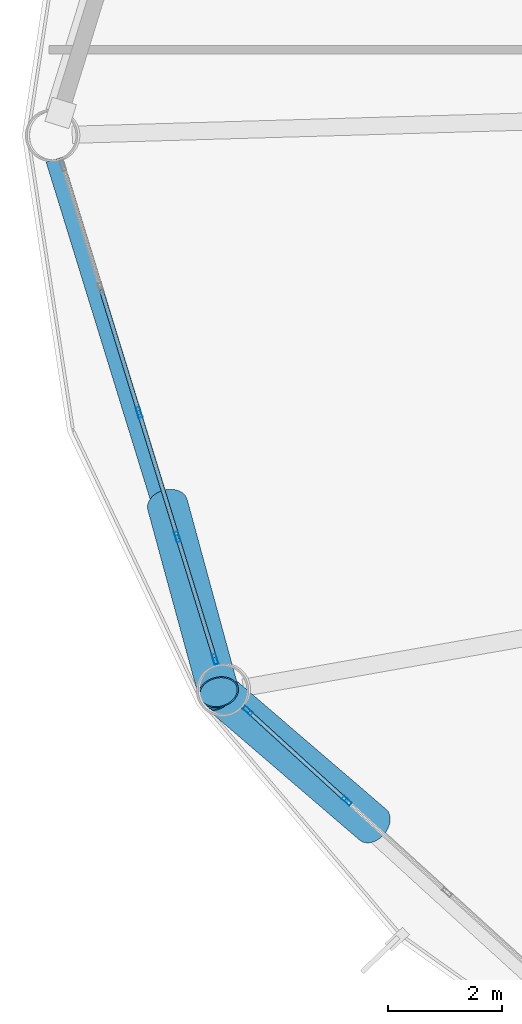
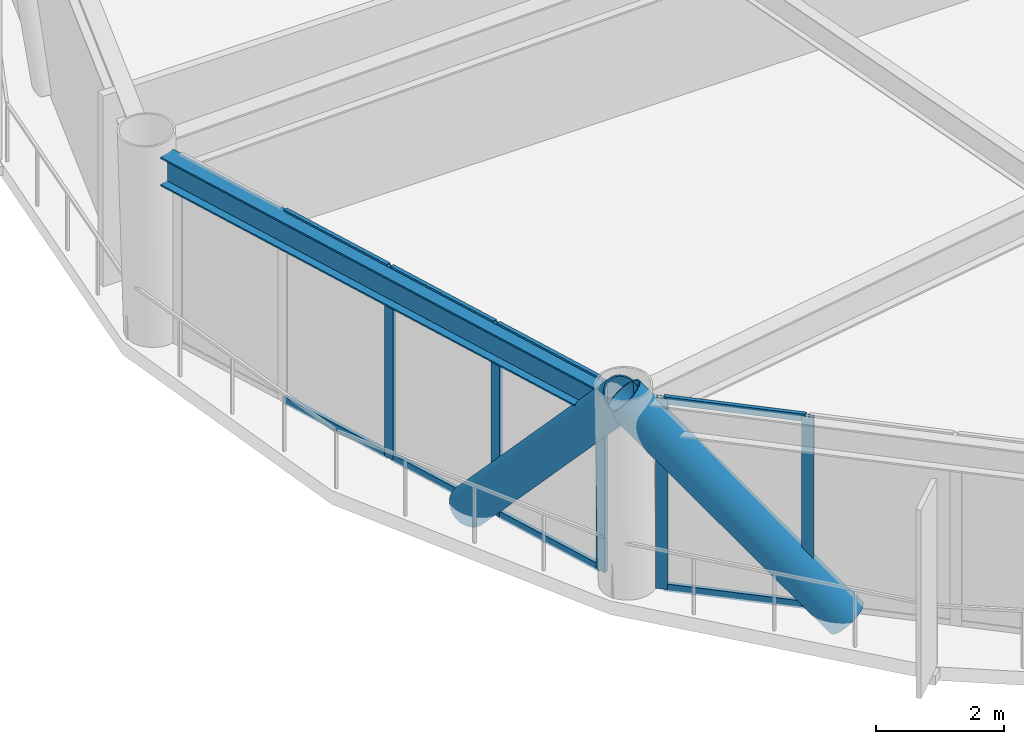
# One storey, part 4 of 25: 15 members, 1 beam, 2 elements without a shape of their own.
"""IFC4 building model written with IfcOpenShell, lengths in metres."""

from ifc_helpers import new_model, si_unit, direction, frame, origin, origin_2d, place, context, subcontext, project, spatial, hollow_rectangle, hollow_circle, i_section, extrude, material, layer, layer_set, material_profile, profile_set, type_object, element, aggregate, save


model = new_model("IFC4")

# Units and contexts
model_context = context("Model", 3, precision=1e-05, world=origin(), true_north=direction((0.0, 1.0)))
body_context = subcontext(model_context, "Body", "Model", "MODEL_VIEW")
ifc_project = project(units=[si_unit("LENGTHUNIT", "METRE"), si_unit("AREAUNIT", "SQUARE_METRE"), si_unit("VOLUMEUNIT", "CUBIC_METRE"), si_unit("PLANEANGLEUNIT", "RADIAN"), si_unit("MASSUNIT", "GRAM", prefix="KILO")], contexts=[model_context])

# Site, building, storey
site_placement = place(None, origin())
site = spatial("IfcSite", under=ifc_project, at=site_placement, CompositionType="ELEMENT")
building_placement = place(site_placement, origin())
building = spatial("IfcBuilding", under=site, at=building_placement, Name="Varnakorn Sky Granary", CompositionType="ELEMENT")
storey_placement = place(building_placement, frame((0.0, 0.0, 58.800048828125)))
storey = spatial("IfcBuildingStorey", under=building, at=storey_placement, Name="L14", CompositionType="ELEMENT", Elevation=58.800048828125)

# Beam
ifc_material_1 = material(Name="Steel S355JR", Category="steel")
ifc_material_profile_1 = material_profile(ifc_material_1, i_section(OverallWidth=0.300048828125, OverallDepth=0.550048828125, WebThickness=0.014892578125, FlangeThickness=0.029052734375, at=origin_2d()), Name="HE 550 B")
ifc_profile_set_1 = profile_set([ifc_material_profile_1], Name="Steel S355JR")
beam_type = type_object("IfcBeamType", Name="BM-SPD-Z1", PredefinedType="SPANDREL", material=ifc_profile_set_1)
beam_placement = place(storey_placement, frame((-22.875732421875, -0.42236328125, 3.364990234375), z_axis=(0.2946507866, -0.955604998917, 0.0), x_axis=(0.955604998917, 0.2946507866, 0.0)))
element("IfcBeam", 1, at=beam_placement, inside=storey, type_object=beam_type, Name="Perimeter Spandrel Ring Beam RB07 L14", PredefinedType="SPANDREL", context=body_context, shape_type="SweptSolid", body=[
    extrude(i_section(OverallWidth=0.300048828125, OverallDepth=0.550048828125, WebThickness=0.014892578125, FlangeThickness=0.029052734375, at=origin_2d()), origin(), (0.0, 0.0, 1.0), 9.291748046875),
])

# Curtain wall, members
ifc_material_2 = material(Name="Anodised Bronze Aluminium Alloy 6063-T6", Category="aluminium")
ifc_layer = layer(ifc_material_2, 0.18994140625, Name="Anodised Bronze Aluminium Alloy 6063-T6")
ifc_layer_set = layer_set([ifc_layer], Name="Anodised Bronze Aluminium Alloy 6063-T6")
curtain_wall_type = type_object("IfcCurtainWallType", Name="CW-FRM-1", PredefinedType="USERDEFINED", material=ifc_layer_set)
curtain_wall_1_placement = place(storey_placement, origin())
curtain_wall_1 = element("IfcCurtainWall", 2, at=curtain_wall_1_placement, inside=storey, type_object=curtain_wall_type, Name="Unitised Curtain Wall CW3 CW-L14-B07", ObjectType="CURTAIN WALL", PredefinedType="USERDEFINED")
ifc_material_profile_2 = material_profile(ifc_material_2, hollow_rectangle(XDim=0.070068359375, YDim=0.18505859375, WallThickness=0.00390625, at=origin_2d()), Name="ALU MULL 70x185")
ifc_profile_set_2 = profile_set([ifc_material_profile_2], Name="Anodised Bronze Aluminium Alloy 6063-T6")
member_type_1 = type_object("IfcMemberType", Name="CW-FRM-1-MULL", PredefinedType="MULLION", material=ifc_profile_set_2)
member_1_placement = place(storey_placement, frame((-20.068115234375, -9.14990234375, 0.0), z_axis=(0.0, 0.0, 1.0), x_axis=(-0.955650032155, -0.29450469613, 0.0)))
member_1 = element("IfcMember", 3, at=member_1_placement, type_object=member_type_1, Name="CW3 mullion 1", PredefinedType="MULLION", context=body_context, shape_type="SweptSolid", body=[
    extrude(hollow_rectangle(XDim=0.070068359375, YDim=0.18505859375, WallThickness=0.00390625, at=origin_2d()), origin(), (0.0, 0.0, 1.0), 3.639892578125),
])
member_2_placement = place(storey_placement, frame((-20.727294921875, -7.010986328125, 0.0), z_axis=(0.0, 0.0, 1.0), x_axis=(-0.955650032155, -0.29450469613, 0.0)))
member_2 = element("IfcMember", 4, at=member_2_placement, type_object=member_type_1, Name="CW3 mullion 2", PredefinedType="MULLION", context=body_context, shape_type="SweptSolid", body=[
    extrude(hollow_rectangle(XDim=0.070068359375, YDim=0.18505859375, WallThickness=0.00390625, at=origin_2d()), origin(), (0.0, 0.0, 1.0), 3.639892578125),
])
member_3_placement = place(storey_placement, frame((-21.396728515625, -4.8388671875, 0.0), z_axis=(0.0, 0.0, 1.0), x_axis=(-0.955650032155, -0.29450469613, 0.0)))
member_3 = element("IfcMember", 5, at=member_3_placement, type_object=member_type_1, Name="CW3 mullion 3", PredefinedType="MULLION", context=body_context, shape_type="SweptSolid", body=[
    extrude(hollow_rectangle(XDim=0.070068359375, YDim=0.18505859375, WallThickness=0.00390625, at=origin_2d()), origin(), (0.0, 0.0, 1.0), 3.639892578125),
])

curtain_wall_2_placement = place(storey_placement, origin())
curtain_wall_2 = element("IfcCurtainWall", 6, at=curtain_wall_2_placement, inside=storey, type_object=curtain_wall_type, Name="Unitised Curtain Wall CW3 CW-L14-B08", ObjectType="CURTAIN WALL", PredefinedType="USERDEFINED")
member_4_placement = place(storey_placement, frame((-17.769775390625, -11.62255859375, 0.0), z_axis=(0.0, 0.0, 1.0), x_axis=(-0.67331886602, -0.739352219623, 0.0)))
member_4 = element("IfcMember", 7, at=member_4_placement, type_object=member_type_1, Name="CW3 mullion 4", PredefinedType="MULLION", context=body_context, shape_type="SweptSolid", body=[
    extrude(hollow_rectangle(XDim=0.070068359375, YDim=0.18505859375, WallThickness=0.00390625, at=origin_2d()), origin(), (0.0, 0.0, 1.0), 3.639892578125),
])
member_5_placement = place(storey_placement, frame((-19.49755859375, -10.049072265625, 0.0), z_axis=(0.0, 0.0, 1.0), x_axis=(-0.67331886602, -0.739352219623, 0.0)))
member_5 = element("IfcMember", 8, at=member_5_placement, type_object=member_type_1, Name="CW3 mullion 5", PredefinedType="MULLION", context=body_context, shape_type="SweptSolid", body=[
    extrude(hollow_rectangle(XDim=0.070068359375, YDim=0.18505859375, WallThickness=0.00390625, at=origin_2d()), origin(), (0.0, 0.0, 1.0), 3.639892578125),
])

# Member
ifc_material_profile_3 = material_profile(ifc_material_2, hollow_rectangle(XDim=0.070068359375, YDim=0.139892578125, WallThickness=0.00341796875, at=origin_2d()), Name="ALU TRAN 70x140")
ifc_profile_set_3 = profile_set([ifc_material_profile_3], Name="Anodised Bronze Aluminium Alloy 6063-T6")
member_type_2 = type_object("IfcMemberType", Name="CW-FRM-1-TRAN", PredefinedType="USERDEFINED", material=ifc_profile_set_3)
member_6_placement = place(storey_placement, frame((-20.07861328125, -9.116455078125, 0.034912109375), z_axis=(-0.294457721915, 0.955664507034, 0.0), x_axis=(-0.955664507034, -0.294457721915, 0.0)))
member_6 = element("IfcMember", 9, at=member_6_placement, type_object=member_type_2, Name="CW3 transom 1.1", ObjectType="TRANSOM", PredefinedType="USERDEFINED", context=body_context, shape_type="SweptSolid", body=[
    extrude(hollow_rectangle(XDim=0.070068359375, YDim=0.139892578125, WallThickness=0.00341796875, at=origin_2d()), origin(), (0.0, 0.0, 1.0), 2.168212890625),
])

member_7_placement = place(storey_placement, frame((-20.07861328125, -9.116455078125, 3.60498046875), z_axis=(-0.294457721915, 0.955664507034, 0.0), x_axis=(-0.955664507034, -0.294457721915, 0.0)))
member_7 = element("IfcMember", 10, at=member_7_placement, type_object=member_type_2, Name="CW3 transom 1.2", ObjectType="TRANSOM", PredefinedType="USERDEFINED", context=body_context, shape_type="SweptSolid", body=[
    extrude(hollow_rectangle(XDim=0.070068359375, YDim=0.139892578125, WallThickness=0.00341796875, at=origin_2d()), origin(), (0.0, 0.0, 1.0), 2.168212890625),
])

member_8_placement = place(storey_placement, frame((-20.737548828125, -6.9775390625, 0.034912109375), z_axis=(-0.294568641983, 0.955630323483, 0.0), x_axis=(-0.955630323483, -0.294568641983, 0.0)))
member_8 = element("IfcMember", 11, at=member_8_placement, type_object=member_type_2, Name="CW3 transom 2.1", ObjectType="TRANSOM", PredefinedType="USERDEFINED", context=body_context, shape_type="SweptSolid", body=[
    extrude(hollow_rectangle(XDim=0.070068359375, YDim=0.139892578125, WallThickness=0.00341796875, at=origin_2d()), origin(), (0.0, 0.0, 1.0), 2.202880859375),
])

member_9_placement = place(storey_placement, frame((-20.737548828125, -6.9775390625, 3.60498046875), z_axis=(-0.294568641983, 0.955630323483, 0.0), x_axis=(-0.955630323483, -0.294568641983, 0.0)))
member_9 = element("IfcMember", 12, at=member_9_placement, type_object=member_type_2, Name="CW3 transom 2.2", ObjectType="TRANSOM", PredefinedType="USERDEFINED", context=body_context, shape_type="SweptSolid", body=[
    extrude(hollow_rectangle(XDim=0.070068359375, YDim=0.139892578125, WallThickness=0.00341796875, at=origin_2d()), origin(), (0.0, 0.0, 1.0), 2.202880859375),
])

member_10_placement = place(storey_placement, frame((-21.4072265625, -4.805419921875, 0.034912109375), z_axis=(-0.294436245013, 0.955671124196, 0.0), x_axis=(-0.955671124196, -0.294436245013, 0.0)))
member_10 = element("IfcMember", 13, at=member_10_placement, type_object=member_type_2, Name="CW3 transom 3.1", ObjectType="TRANSOM", PredefinedType="USERDEFINED", context=body_context, shape_type="SweptSolid", body=[
    extrude(hollow_rectangle(XDim=0.070068359375, YDim=0.139892578125, WallThickness=0.00341796875, at=origin_2d()), origin(), (0.0, 0.0, 1.0), 2.203125),
])

member_11_placement = place(storey_placement, frame((-21.4072265625, -4.805419921875, 3.60498046875), z_axis=(-0.294436245013, 0.955671124196, 0.0), x_axis=(-0.955671124196, -0.294436245013, 0.0)))
member_11 = element("IfcMember", 14, at=member_11_placement, type_object=member_type_2, Name="CW3 transom 3.2", ObjectType="TRANSOM", PredefinedType="USERDEFINED", context=body_context, shape_type="SweptSolid", body=[
    extrude(hollow_rectangle(XDim=0.070068359375, YDim=0.139892578125, WallThickness=0.00341796875, at=origin_2d()), origin(), (0.0, 0.0, 1.0), 2.203125),
])

aggregate(curtain_wall_1, [member_1, member_2, member_3, member_6, member_7, member_8, member_9, member_10, member_11])

member_12_placement = place(storey_placement, frame((-17.795654296875, -11.59912109375, 0.034912109375), z_axis=(-0.739345253663, 0.673326515062, 0.0), x_axis=(-0.673326515062, -0.739345253663, 0.0)))
member_12 = element("IfcMember", 15, at=member_12_placement, type_object=member_type_2, Name="CW3 transom 4.1", ObjectType="TRANSOM", PredefinedType="USERDEFINED", context=body_context, shape_type="SweptSolid", body=[
    extrude(hollow_rectangle(XDim=0.070068359375, YDim=0.139892578125, WallThickness=0.00341796875, at=origin_2d()), origin(), (0.0, 0.0, 1.0), 2.266845703125),
])

member_13_placement = place(storey_placement, frame((-17.795654296875, -11.59912109375, 3.60498046875), z_axis=(-0.739345253663, 0.673326515062, 0.0), x_axis=(-0.673326515062, -0.739345253663, 0.0)))
member_13 = element("IfcMember", 16, at=member_13_placement, type_object=member_type_2, Name="CW3 transom 4.2", ObjectType="TRANSOM", PredefinedType="USERDEFINED", context=body_context, shape_type="SweptSolid", body=[
    extrude(hollow_rectangle(XDim=0.070068359375, YDim=0.139892578125, WallThickness=0.00341796875, at=origin_2d()), origin(), (0.0, 0.0, 1.0), 2.266845703125),
])

aggregate(curtain_wall_2, [member_4, member_5, member_12, member_13])

# Members
ifc_material_3 = material(Name="Steel S460M", Category="steel")
ifc_material_profile_4 = material_profile(ifc_material_3, hollow_circle(Radius=0.35546875, WallThickness=0.02490234375, at=origin_2d()), Name="CHS 711x25")
ifc_profile_set_4 = profile_set([ifc_material_profile_4], Name="Steel S460M")
member_type_3 = type_object("IfcMemberType", Name="MB-DIAG-T0", PredefinedType="BRACE", material=ifc_profile_set_4)
member_14_placement = place(storey_placement, frame((-20.899658203125, -6.45166015625, -0.130126953125), z_axis=(0.175863570081, -0.645298465198, 0.743412332109), x_axis=(0.964811975904, 0.262940774991, 0.0)))
element("IfcMember", 17, at=member_14_placement, inside=storey, type_object=member_type_3, Name="Perimeter CHS Diagrid Brace DG07 L14", PredefinedType="BRACE", context=body_context, shape_type="SweptSolid", body=[
    extrude(hollow_circle(Radius=0.35546875, WallThickness=0.02490234375, at=origin_2d()), origin(), (0.0, 0.0, 1.0), 5.0712890625),
])
member_15_placement = place(storey_placement, frame((-17.3125, -12.0390625, -0.130126953125), z_axis=(-0.520288809603, 0.4468639939, 0.72774454691), x_axis=(-0.6515493318, -0.758606266934, 0.0)))
element("IfcMember", 18, at=member_15_placement, inside=storey, type_object=member_type_3, Name="Perimeter CHS Diagrid Brace DG08 L14", PredefinedType="BRACE", context=body_context, shape_type="SweptSolid", body=[
    extrude(hollow_circle(Radius=0.35546875, WallThickness=0.02490234375, at=origin_2d()), origin(), (0.0, 0.0, 1.0), 5.180419921875),
])

save(model, "model.ifc")
